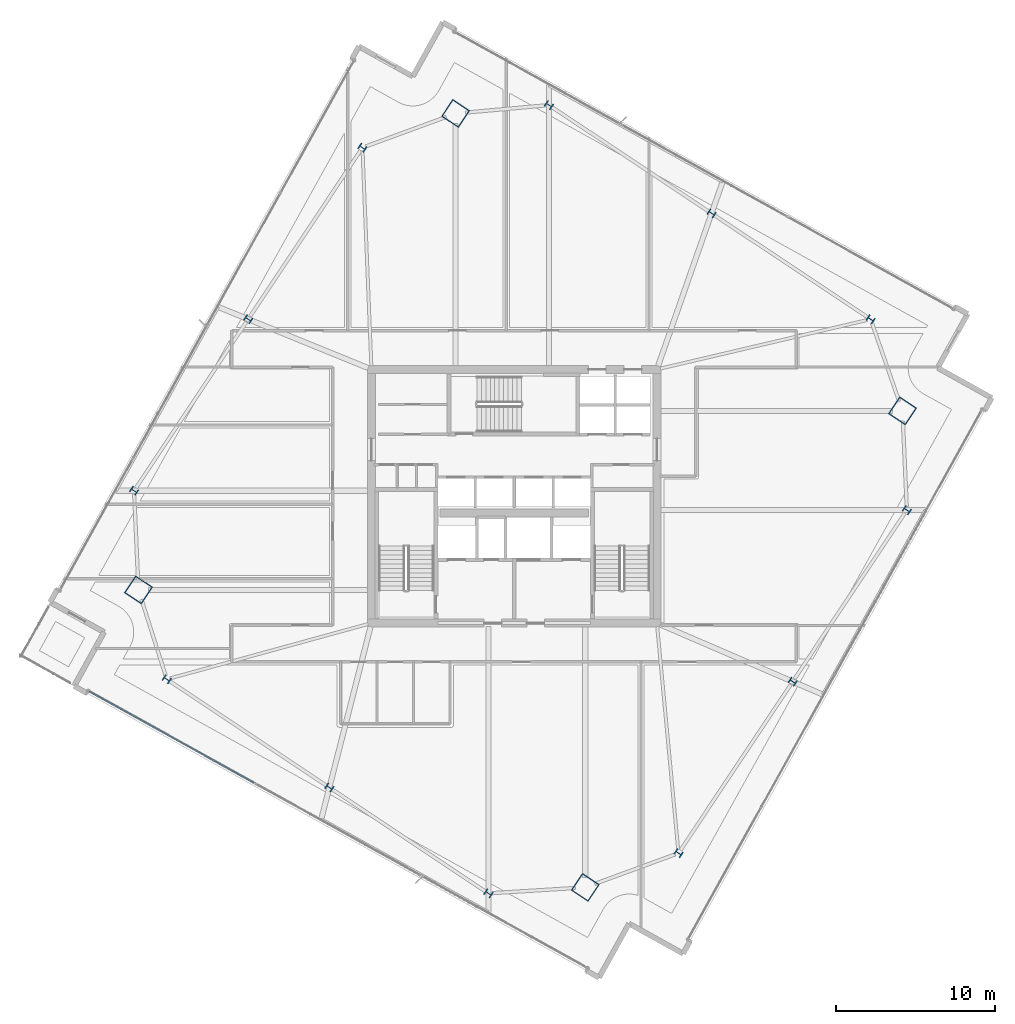
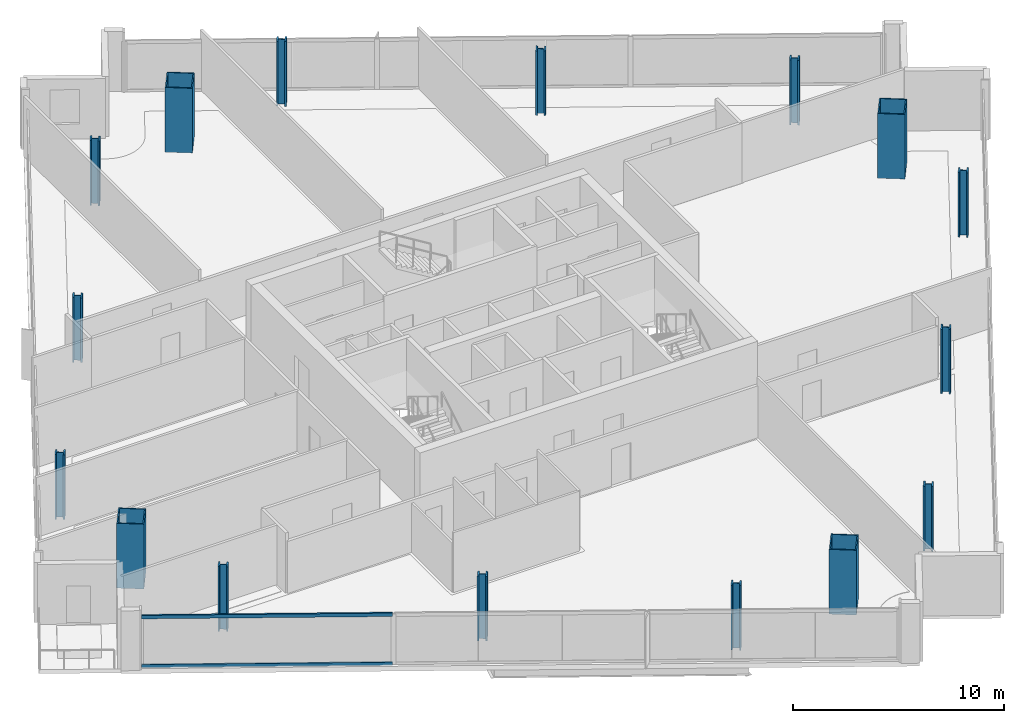
# One storey, part 1 of 28: 16 columns, 2 members, 1 element without a shape of its own.
"""IFC4 building model written with IfcOpenShell, lengths in metres."""

from ifc_helpers import new_model, si_unit, direction, frame, origin, origin_2d, place, context, subcontext, project, spatial, hollow_rectangle, i_section, extrude, material, material_profile, profile_set, type_object, element, aggregate, save


model = new_model("IFC4")

# Units and contexts
model_context = context("Model", 3, precision=1e-05, world=origin(), true_north=direction((0.0, 1.0)))
body_context = subcontext(model_context, "Body", "Model", "MODEL_VIEW")
ifc_project = project(units=[si_unit("LENGTHUNIT", "METRE"), si_unit("AREAUNIT", "SQUARE_METRE"), si_unit("VOLUMEUNIT", "CUBIC_METRE"), si_unit("PLANEANGLEUNIT", "RADIAN"), si_unit("MASSUNIT", "GRAM", prefix="KILO")], contexts=[model_context])

# Site, building, storey
site_placement = place(None, origin())
site = spatial("IfcSite", under=ifc_project, at=site_placement, CompositionType="ELEMENT")
building_placement = place(site_placement, origin())
building = spatial("IfcBuilding", under=site, at=building_placement, Name="Haldenkirk Collegiate Tower", CompositionType="ELEMENT")
storey_placement = place(building_placement, frame((0.0, 0.0, 232.199951171875)))
storey = spatial("IfcBuildingStorey", under=building, at=storey_placement, Name="L58", CompositionType="ELEMENT", Elevation=232.199951171875)

# Columns
ifc_material_1 = material(Name="Steel ASTM A913 Grade 65", Category="steel")
ifc_material_profile_1 = material_profile(ifc_material_1, i_section(OverallWidth=0.424072265625, OverallDepth=0.47412109375, WebThickness=0.047607421875, FlangeThickness=0.0771484375, at=origin_2d()), Name="W14X426")
ifc_profile_set_1 = profile_set([ifc_material_profile_1], Name="Steel ASTM A913 Grade 65")
column_type_1 = type_object("IfcColumnType", Name="COL-INT-W14X426", PredefinedType="COLUMN", material=ifc_profile_set_1)
for number, where, z_axis, x_axis, name in (
    (1, (46.363037109375, 3.48974609375, 0.0), (0.0, 0.0, 1.0), (0.554118199338, 0.832437998389, 0.0), "L58 perimeter gravity column PC-S1"),
    (2, (53.564453125, 14.30810546875, 0.0), (0.0, 0.0, 1.0), (0.554118199338, 0.832437998389, 0.0), "L58 perimeter gravity column PC-S2"),
    (3, (60.765869140625, 25.12646484375, 0.0), (0.0, 0.0, 1.0), (0.554118199338, 0.832437998389, 0.0), "L58 perimeter gravity column PC-S3"),
    (4, (58.48095703125, 37.16357421875, 0.0), (0.0, 0.0, 1.0), (0.554118199338, 0.832437998389, 0.0), "L58 perimeter gravity column PC-E1"),
    (5, (48.447509765625, 43.84228515625, 0.0), (0.0, 0.0, 1.0), (0.554118199338, 0.832437998389, 0.0), "L58 perimeter gravity column PC-E2"),
    (6, (38.192626953125, 50.66845703125, 0.0), (0.0, 0.0, 1.0), (0.554118199338, 0.832437998389, 0.0), "L58 perimeter gravity column PC-E3"),
    (7, (26.427734375, 47.98388671875, 0.0), (0.0, 0.0, 1.0), (0.554118199338, 0.832437998389, 0.0), "L58 perimeter gravity column PC-N1"),
    (8, (19.226318359375, 37.16552734375, 0.0), (0.0, 0.0, 1.0), (0.554118199338, 0.832437998389, 0.0), "L58 perimeter gravity column PC-N2"),
    (9, (12.025146484375, 26.34716796875, 0.0), (0.0, 0.0, 1.0), (0.554118199338, 0.832437998389, 0.0), "L58 perimeter gravity column PC-N3"),
    (10, (14.08837890625, 14.45751953125, 0.0), (0.0, 0.0, 1.0), (0.554118199338, 0.832437998389, 0.0), "L58 perimeter gravity column PC-W1"),
    (11, (24.34326171875, 7.63134765625, 0.0), (0.0, 0.0, 1.0), (0.554118199338, 0.832437998389, 0.0), "L58 perimeter gravity column PC-W2"),
    (12, (34.376708984375, 0.952392578125, 0.0), (0.0, 0.0, 1.0), (0.554118199338, 0.832437998389, 0.0), "L58 perimeter gravity column PC-W3"),
):
    element("IfcColumn", number, at=place(storey_placement, frame(where, z_axis=z_axis, x_axis=x_axis)), inside=storey, type_object=column_type_1, Name=name, PredefinedType="COLUMN", context=body_context, shape_type="SweptSolid", body=[
        extrude(i_section(OverallWidth=0.424072265625, OverallDepth=0.47412109375, WebThickness=0.047607421875, FlangeThickness=0.0771484375, at=origin_2d()), origin(), (0.0, 0.0, 1.0), 3.75),
    ])
ifc_material_2 = material(Name="Steel ASTM A572 Grade 50", Category="steel")
ifc_material_profile_2 = material_profile(ifc_material_2, hollow_rectangle(XDim=1.300048828125, YDim=1.300048828125, WallThickness=0.06005859375, at=origin_2d()), Name="BOX1300X1300X60")
ifc_profile_set_2 = profile_set([ifc_material_profile_2], Name="Steel ASTM A572 Grade 50")
column_type_2 = type_object("IfcColumnType", Name="COL-MEGA-BOX1300X1300X60", PredefinedType="COLUMN", material=ifc_profile_set_2)
for number, where, z_axis, x_axis, name in (
    (13, (40.482666015625, 1.332763671875, 0.0), (0.0, 0.0, 1.0), (0.554118199338, 0.832437998389, 0.0), "L58 corner mega-column MC1"),
    (14, (60.486328125, 31.3837890625, 0.0), (0.0, 0.0, 1.0), (0.554118199338, 0.832437998389, 0.0), "L58 corner mega-column MC2"),
    (15, (32.30810546875, 50.140869140625, 0.0), (0.0, 0.0, 1.0), (0.554118199338, 0.832437998389, 0.0), "L58 corner mega-column MC3"),
    (16, (12.3046875, 20.089599609375, 0.0), (0.0, 0.0, 1.0), (0.554118199338, 0.832437998389, 0.0), "L58 corner mega-column MC4"),
):
    element("IfcColumn", number, at=place(storey_placement, frame(where, z_axis=z_axis, x_axis=x_axis)), inside=storey, type_object=column_type_2, Name=name, PredefinedType="COLUMN", context=body_context, shape_type="SweptSolid", body=[
        extrude(hollow_rectangle(XDim=1.300048828125, YDim=1.300048828125, WallThickness=0.06005859375, at=origin_2d()), origin(), (0.0, 0.0, 1.0), 3.75),
    ])

# Curtain wall, members
ifc_material_3 = material(Name="Anodised architectural bronze aluminium", Category="aluminium")
curtain_wall_type = type_object("IfcCurtainWallType", Name="CW-SYS1B-CONVEX-HI", PredefinedType="USERDEFINED", material=ifc_material_3)
curtain_wall_placement = place(storey_placement, origin())
curtain_wall = element("IfcCurtainWall", 17, at=curtain_wall_placement, inside=storey, type_object=curtain_wall_type, Name="L58 Upper tower high-wind convex bronze unitised curtain wall", ObjectType="UNITISED CURTAIN WALL", PredefinedType="USERDEFINED")
ifc_material_profile_3 = material_profile(ifc_material_3, hollow_rectangle(XDim=0.0849609375, YDim=0.199951171875, WallThickness=0.0048828125, at=origin_2d()), Name="CW-TRN-1B")
ifc_profile_set_3 = profile_set([ifc_material_profile_3], Name="Anodised architectural bronze aluminium")
member_type = type_object("IfcMemberType", Name="CW-TRN-1B", PredefinedType="USERDEFINED", material=ifc_profile_set_3)
member_1_placement = place(storey_placement, frame((19.5908203125, 7.923828125, 0.04248046875), z_axis=(-0.874194055652, 0.485576722117, 0.0), x_axis=(-0.485576722117, -0.874194055652, 0.0)))
member_1 = element("IfcMember", 18, at=member_1_placement, type_object=member_type, Name="CW-1B transom 3.1", ObjectType="TRANSOM", PredefinedType="USERDEFINED", context=body_context, shape_type="SweptSolid", body=[
    extrude(hollow_rectangle(XDim=0.0849609375, YDim=0.199951171875, WallThickness=0.0048828125, at=origin_2d()), origin(), (0.0, 0.0, 1.0), 11.8974609375),
])
member_2_placement = place(storey_placement, frame((19.5908203125, 7.923828125, 2.885498046875), z_axis=(-0.874194055652, 0.485576722117, 0.0), x_axis=(-0.485576722117, -0.874194055652, 0.0)))
member_2 = element("IfcMember", 19, at=member_2_placement, type_object=member_type, Name="CW-1B transom 3.2", ObjectType="TRANSOM", PredefinedType="USERDEFINED", context=body_context, shape_type="SweptSolid", body=[
    extrude(hollow_rectangle(XDim=0.0849609375, YDim=0.199951171875, WallThickness=0.0048828125, at=origin_2d()), origin(), (0.0, 0.0, 1.0), 11.8974609375),
])
aggregate(curtain_wall, [member_1, member_2])

save(model, "model.ifc")
